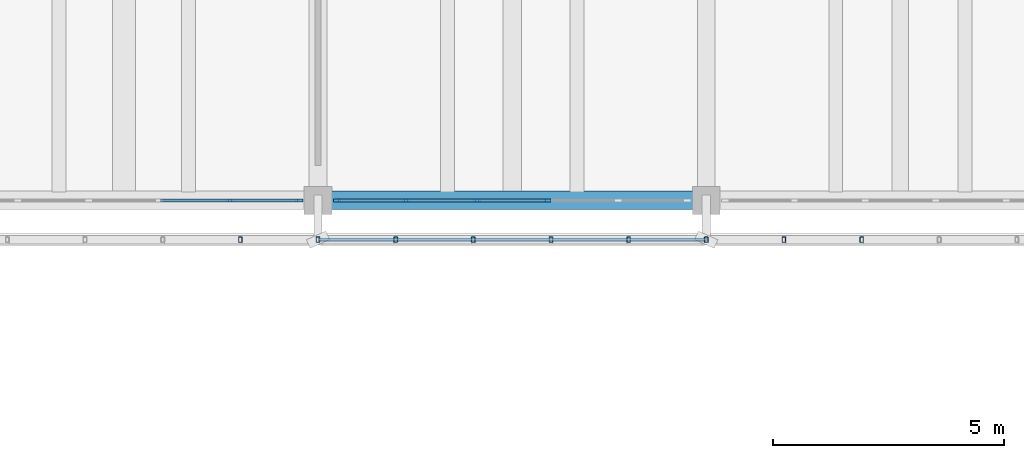
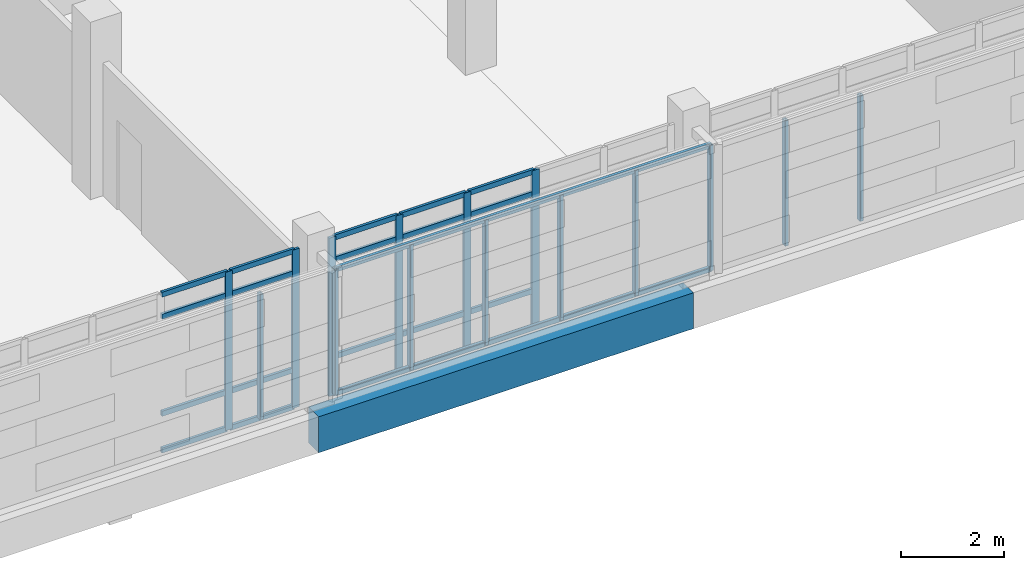
# One storey, part 46 of 137: 37 members, 1 beam, 2 elements without a shape of their own.
"""IFC4 building model written with IfcOpenShell, lengths in metres."""

from ifc_helpers import new_model, si_unit, direction, frame, origin, origin_2d, place, context, subcontext, project, spatial, rectangle, hollow_rectangle, extrude, material, material_profile, profile_set, type_object, element, aggregate, save


model = new_model("IFC4")

# Units and contexts
model_context = context("Model", 3, precision=1e-05, world=origin(), true_north=direction((0.0, 1.0)))
body_context = subcontext(model_context, "Body", "Model", "MODEL_VIEW")
ifc_project = project(units=[si_unit("LENGTHUNIT", "METRE"), si_unit("AREAUNIT", "SQUARE_METRE"), si_unit("VOLUMEUNIT", "CUBIC_METRE"), si_unit("PLANEANGLEUNIT", "RADIAN"), si_unit("MASSUNIT", "GRAM", prefix="KILO")], contexts=[model_context])

# Site, building, storey
site_placement = place(None, origin())
site = spatial("IfcSite", under=ifc_project, at=site_placement, CompositionType="ELEMENT")
building_placement = place(site_placement, origin())
building = spatial("IfcBuilding", under=site, at=building_placement, Name="Cinderway Yard Community Centre", CompositionType="ELEMENT")
storey_placement = place(building_placement, frame((0.0, 0.0, 4.800048828125)))
storey = spatial("IfcBuildingStorey", under=building, at=storey_placement, Name="L01", CompositionType="ELEMENT", Elevation=4.800048828125)

# Curtain wall, members
ifc_material_1 = material(Name="Aluminium 6063-T6", Category="aluminium")
curtain_wall_type = type_object("IfcCurtainWallType", Name="ENV-CW-TYPE-26", PredefinedType="USERDEFINED", material=ifc_material_1)
curtain_wall_1_placement = place(storey_placement, origin())
curtain_wall_1 = element("IfcCurtainWall", 1, at=curtain_wall_1_placement, inside=storey, type_object=curtain_wall_type, Name="V4 Courtyard Curtain Wall ENV-CW-L01-ST-0124", ObjectType="GLAZED CURTAIN WALL", PredefinedType="USERDEFINED")
ifc_material_profile_1 = material_profile(ifc_material_1, rectangle(XDim=0.06005859375, YDim=0.159912109375, at=origin_2d()), Name="Aluminium 6063-T6")
ifc_profile_set_1 = profile_set([ifc_material_profile_1], Name="Aluminium 6063-T6")
member_type_1 = type_object("IfcMemberType", Name="ENV-CW-MULL-150", PredefinedType="MULLION", material=ifc_profile_set_1)
member_1_placement = place(storey_placement, frame((56.491943359375, 90.0, 0.0), z_axis=(0.0, 0.0, 1.0), x_axis=(0.0, 1.0, 0.0)))
member_1 = element("IfcMember", 2, at=member_1_placement, type_object=member_type_1, Name="CW-26 mullion 5", PredefinedType="MULLION", context=body_context, shape_type="SweptSolid", body=[
    extrude(rectangle(XDim=0.06005859375, YDim=0.159912109375, at=origin_2d()), origin(), (0.0, 0.0, 1.0), 3.75),
])
member_2_placement = place(storey_placement, frame((57.989990234375, 90.0, 0.0), z_axis=(0.0, 0.0, 1.0), x_axis=(0.0, 1.0, 0.0)))
member_2 = element("IfcMember", 3, at=member_2_placement, type_object=member_type_1, Name="CW-26 mullion 6", PredefinedType="MULLION", context=body_context, shape_type="SweptSolid", body=[
    extrude(rectangle(XDim=0.06005859375, YDim=0.159912109375, at=origin_2d()), origin(), (0.0, 0.0, 1.0), 3.75),
])

curtain_wall_2_placement = place(storey_placement, origin())
curtain_wall_2 = element("IfcCurtainWall", 4, at=curtain_wall_2_placement, inside=storey, type_object=curtain_wall_type, Name="V4 Courtyard Curtain Wall ENV-CW-L01-ST-0125", ObjectType="GLAZED CURTAIN WALL", PredefinedType="USERDEFINED")
member_3_placement = place(storey_placement, frame((58.81005859375, 90.0, 0.0), z_axis=(0.0, 0.0, 1.0), x_axis=(0.0, 1.0, 0.0)))
member_3 = element("IfcMember", 5, at=member_3_placement, type_object=member_type_1, Name="CW-26 mullion 1", PredefinedType="MULLION", context=body_context, shape_type="SweptSolid", body=[
    extrude(rectangle(XDim=0.06005859375, YDim=0.159912109375, at=origin_2d()), origin(), (0.0, 0.0, 1.0), 3.75),
])
member_4_placement = place(storey_placement, frame((60.30810546875, 90.0, 0.0), z_axis=(0.0, 0.0, 1.0), x_axis=(0.0, 1.0, 0.0)))
member_4 = element("IfcMember", 6, at=member_4_placement, type_object=member_type_1, Name="CW-26 mullion 2", PredefinedType="MULLION", context=body_context, shape_type="SweptSolid", body=[
    extrude(rectangle(XDim=0.06005859375, YDim=0.159912109375, at=origin_2d()), origin(), (0.0, 0.0, 1.0), 3.75),
])
member_5_placement = place(storey_placement, frame((61.8359375, 90.0, 0.0), z_axis=(0.0, 0.0, 1.0), x_axis=(0.0, 1.0, 0.0)))
member_5 = element("IfcMember", 7, at=member_5_placement, type_object=member_type_1, Name="CW-26 mullion 3", PredefinedType="MULLION", context=body_context, shape_type="SweptSolid", body=[
    extrude(rectangle(XDim=0.06005859375, YDim=0.159912109375, at=origin_2d()), origin(), (0.0, 0.0, 1.0), 3.75),
])
member_6_placement = place(storey_placement, frame((63.364013671875, 90.0, 0.0), z_axis=(0.0, 0.0, 1.0), x_axis=(0.0, 1.0, 0.0)))
member_6 = element("IfcMember", 8, at=member_6_placement, type_object=member_type_1, Name="CW-26 mullion 4", PredefinedType="MULLION", context=body_context, shape_type="SweptSolid", body=[
    extrude(rectangle(XDim=0.06005859375, YDim=0.159912109375, at=origin_2d()), origin(), (0.0, 0.0, 1.0), 3.75),
])

# Member
ifc_material_profile_2 = material_profile(ifc_material_1, rectangle(XDim=0.06005859375, YDim=0.1201171875, at=origin_2d()), Name="Aluminium 6063-T6")
ifc_profile_set_2 = profile_set([ifc_material_profile_2], Name="Aluminium 6063-T6")
member_type_2 = type_object("IfcMemberType", Name="ENV-CW-TRAN-110", PredefinedType="USERDEFINED", material=ifc_profile_set_2)
member_7_placement = place(storey_placement, frame((54.993896484375, 90.0, 0.030029296875), z_axis=(1.0, 0.0, 0.0), x_axis=(0.0, 1.0, 0.0)))
member_7 = element("IfcMember", 9, at=member_7_placement, type_object=member_type_2, Name="CW-26 transom 4.1", ObjectType="TRANSOM", PredefinedType="USERDEFINED", context=body_context, shape_type="SweptSolid", body=[
    extrude(rectangle(XDim=0.06005859375, YDim=0.1201171875, at=origin_2d()), origin(), (0.0, 0.0, 1.0), 1.468017578125),
])

member_8_placement = place(storey_placement, frame((54.993896484375, 90.0, 0.89990234375), z_axis=(1.0, 0.0, 0.0), x_axis=(0.0, 1.0, 0.0)))
member_8 = element("IfcMember", 10, at=member_8_placement, type_object=member_type_2, Name="CW-26 transom 4.2", ObjectType="TRANSOM", PredefinedType="USERDEFINED", context=body_context, shape_type="SweptSolid", body=[
    extrude(rectangle(XDim=0.06005859375, YDim=0.1201171875, at=origin_2d()), origin(), (0.0, 0.0, 1.0), 1.468017578125),
])

member_9_placement = place(storey_placement, frame((54.993896484375, 90.0, 3.199951171875), z_axis=(1.0, 0.0, 0.0), x_axis=(0.0, 1.0, 0.0)))
member_9 = element("IfcMember", 11, at=member_9_placement, type_object=member_type_2, Name="CW-26 transom 4.3", ObjectType="TRANSOM", PredefinedType="USERDEFINED", context=body_context, shape_type="SweptSolid", body=[
    extrude(rectangle(XDim=0.06005859375, YDim=0.1201171875, at=origin_2d()), origin(), (0.0, 0.0, 1.0), 1.468017578125),
])

member_10_placement = place(storey_placement, frame((54.993896484375, 90.0, 3.719970703125), z_axis=(1.0, 0.0, 0.0), x_axis=(0.0, 1.0, 0.0)))
member_10 = element("IfcMember", 12, at=member_10_placement, type_object=member_type_2, Name="CW-26 transom 4.4", ObjectType="TRANSOM", PredefinedType="USERDEFINED", context=body_context, shape_type="SweptSolid", body=[
    extrude(rectangle(XDim=0.06005859375, YDim=0.1201171875, at=origin_2d()), origin(), (0.0, 0.0, 1.0), 1.468017578125),
])

member_11_placement = place(storey_placement, frame((56.52197265625, 90.0, 0.030029296875), z_axis=(1.0, 0.0, 0.0), x_axis=(0.0, 1.0, 0.0)))
member_11 = element("IfcMember", 13, at=member_11_placement, type_object=member_type_2, Name="CW-26 transom 5.1", ObjectType="TRANSOM", PredefinedType="USERDEFINED", context=body_context, shape_type="SweptSolid", body=[
    extrude(rectangle(XDim=0.06005859375, YDim=0.1201171875, at=origin_2d()), origin(), (0.0, 0.0, 1.0), 1.43798828125),
])

member_12_placement = place(storey_placement, frame((56.52197265625, 90.0, 0.89990234375), z_axis=(1.0, 0.0, 0.0), x_axis=(0.0, 1.0, 0.0)))
member_12 = element("IfcMember", 14, at=member_12_placement, type_object=member_type_2, Name="CW-26 transom 5.2", ObjectType="TRANSOM", PredefinedType="USERDEFINED", context=body_context, shape_type="SweptSolid", body=[
    extrude(rectangle(XDim=0.06005859375, YDim=0.1201171875, at=origin_2d()), origin(), (0.0, 0.0, 1.0), 1.43798828125),
])

member_13_placement = place(storey_placement, frame((56.52197265625, 90.0, 3.199951171875), z_axis=(1.0, 0.0, 0.0), x_axis=(0.0, 1.0, 0.0)))
member_13 = element("IfcMember", 15, at=member_13_placement, type_object=member_type_2, Name="CW-26 transom 5.3", ObjectType="TRANSOM", PredefinedType="USERDEFINED", context=body_context, shape_type="SweptSolid", body=[
    extrude(rectangle(XDim=0.06005859375, YDim=0.1201171875, at=origin_2d()), origin(), (0.0, 0.0, 1.0), 1.43798828125),
])

member_14_placement = place(storey_placement, frame((56.52197265625, 90.0, 3.719970703125), z_axis=(1.0, 0.0, 0.0), x_axis=(0.0, 1.0, 0.0)))
member_14 = element("IfcMember", 16, at=member_14_placement, type_object=member_type_2, Name="CW-26 transom 5.4", ObjectType="TRANSOM", PredefinedType="USERDEFINED", context=body_context, shape_type="SweptSolid", body=[
    extrude(rectangle(XDim=0.06005859375, YDim=0.1201171875, at=origin_2d()), origin(), (0.0, 0.0, 1.0), 1.43798828125),
])

aggregate(curtain_wall_1, [member_1, member_2, member_7, member_8, member_9, member_10, member_11, member_12, member_13, member_14])

member_15_placement = place(storey_placement, frame((58.840087890625, 90.0, 0.030029296875), z_axis=(1.0, 0.0, 0.0), x_axis=(0.0, 1.0, 0.0)))
member_15 = element("IfcMember", 17, at=member_15_placement, type_object=member_type_2, Name="CW-26 transom 1.1", ObjectType="TRANSOM", PredefinedType="USERDEFINED", context=body_context, shape_type="SweptSolid", body=[
    extrude(rectangle(XDim=0.06005859375, YDim=0.1201171875, at=origin_2d()), origin(), (0.0, 0.0, 1.0), 1.43798828125),
])

member_16_placement = place(storey_placement, frame((58.840087890625, 90.0, 0.89990234375), z_axis=(1.0, 0.0, 0.0), x_axis=(0.0, 1.0, 0.0)))
member_16 = element("IfcMember", 18, at=member_16_placement, type_object=member_type_2, Name="CW-26 transom 1.2", ObjectType="TRANSOM", PredefinedType="USERDEFINED", context=body_context, shape_type="SweptSolid", body=[
    extrude(rectangle(XDim=0.06005859375, YDim=0.1201171875, at=origin_2d()), origin(), (0.0, 0.0, 1.0), 1.43798828125),
])

member_17_placement = place(storey_placement, frame((58.840087890625, 90.0, 3.199951171875), z_axis=(1.0, 0.0, 0.0), x_axis=(0.0, 1.0, 0.0)))
member_17 = element("IfcMember", 19, at=member_17_placement, type_object=member_type_2, Name="CW-26 transom 1.3", ObjectType="TRANSOM", PredefinedType="USERDEFINED", context=body_context, shape_type="SweptSolid", body=[
    extrude(rectangle(XDim=0.06005859375, YDim=0.1201171875, at=origin_2d()), origin(), (0.0, 0.0, 1.0), 1.43798828125),
])

member_18_placement = place(storey_placement, frame((58.840087890625, 90.0, 3.719970703125), z_axis=(1.0, 0.0, 0.0), x_axis=(0.0, 1.0, 0.0)))
member_18 = element("IfcMember", 20, at=member_18_placement, type_object=member_type_2, Name="CW-26 transom 1.4", ObjectType="TRANSOM", PredefinedType="USERDEFINED", context=body_context, shape_type="SweptSolid", body=[
    extrude(rectangle(XDim=0.06005859375, YDim=0.1201171875, at=origin_2d()), origin(), (0.0, 0.0, 1.0), 1.43798828125),
])

member_19_placement = place(storey_placement, frame((60.337890625, 90.0, 0.030029296875), z_axis=(1.0, 0.0, 0.0), x_axis=(0.0, 1.0, 0.0)))
member_19 = element("IfcMember", 21, at=member_19_placement, type_object=member_type_2, Name="CW-26 transom 2.1", ObjectType="TRANSOM", PredefinedType="USERDEFINED", context=body_context, shape_type="SweptSolid", body=[
    extrude(rectangle(XDim=0.06005859375, YDim=0.1201171875, at=origin_2d()), origin(), (0.0, 0.0, 1.0), 1.468017578125),
])

member_20_placement = place(storey_placement, frame((60.337890625, 90.0, 0.89990234375), z_axis=(1.0, 0.0, 0.0), x_axis=(0.0, 1.0, 0.0)))
member_20 = element("IfcMember", 22, at=member_20_placement, type_object=member_type_2, Name="CW-26 transom 2.2", ObjectType="TRANSOM", PredefinedType="USERDEFINED", context=body_context, shape_type="SweptSolid", body=[
    extrude(rectangle(XDim=0.06005859375, YDim=0.1201171875, at=origin_2d()), origin(), (0.0, 0.0, 1.0), 1.468017578125),
])

member_21_placement = place(storey_placement, frame((60.337890625, 90.0, 3.199951171875), z_axis=(1.0, 0.0, 0.0), x_axis=(0.0, 1.0, 0.0)))
member_21 = element("IfcMember", 23, at=member_21_placement, type_object=member_type_2, Name="CW-26 transom 2.3", ObjectType="TRANSOM", PredefinedType="USERDEFINED", context=body_context, shape_type="SweptSolid", body=[
    extrude(rectangle(XDim=0.06005859375, YDim=0.1201171875, at=origin_2d()), origin(), (0.0, 0.0, 1.0), 1.468017578125),
])

member_22_placement = place(storey_placement, frame((60.337890625, 90.0, 3.719970703125), z_axis=(1.0, 0.0, 0.0), x_axis=(0.0, 1.0, 0.0)))
member_22 = element("IfcMember", 24, at=member_22_placement, type_object=member_type_2, Name="CW-26 transom 2.4", ObjectType="TRANSOM", PredefinedType="USERDEFINED", context=body_context, shape_type="SweptSolid", body=[
    extrude(rectangle(XDim=0.06005859375, YDim=0.1201171875, at=origin_2d()), origin(), (0.0, 0.0, 1.0), 1.468017578125),
])

member_23_placement = place(storey_placement, frame((61.865966796875, 90.0, 0.030029296875), z_axis=(1.0, 0.0, 0.0), x_axis=(0.0, 1.0, 0.0)))
member_23 = element("IfcMember", 25, at=member_23_placement, type_object=member_type_2, Name="CW-26 transom 3.1", ObjectType="TRANSOM", PredefinedType="USERDEFINED", context=body_context, shape_type="SweptSolid", body=[
    extrude(rectangle(XDim=0.06005859375, YDim=0.1201171875, at=origin_2d()), origin(), (0.0, 0.0, 1.0), 1.468017578125),
])

member_24_placement = place(storey_placement, frame((61.865966796875, 90.0, 0.89990234375), z_axis=(1.0, 0.0, 0.0), x_axis=(0.0, 1.0, 0.0)))
member_24 = element("IfcMember", 26, at=member_24_placement, type_object=member_type_2, Name="CW-26 transom 3.2", ObjectType="TRANSOM", PredefinedType="USERDEFINED", context=body_context, shape_type="SweptSolid", body=[
    extrude(rectangle(XDim=0.06005859375, YDim=0.1201171875, at=origin_2d()), origin(), (0.0, 0.0, 1.0), 1.468017578125),
])

member_25_placement = place(storey_placement, frame((61.865966796875, 90.0, 3.199951171875), z_axis=(1.0, 0.0, 0.0), x_axis=(0.0, 1.0, 0.0)))
member_25 = element("IfcMember", 27, at=member_25_placement, type_object=member_type_2, Name="CW-26 transom 3.3", ObjectType="TRANSOM", PredefinedType="USERDEFINED", context=body_context, shape_type="SweptSolid", body=[
    extrude(rectangle(XDim=0.06005859375, YDim=0.1201171875, at=origin_2d()), origin(), (0.0, 0.0, 1.0), 1.468017578125),
])

member_26_placement = place(storey_placement, frame((61.865966796875, 90.0, 3.719970703125), z_axis=(1.0, 0.0, 0.0), x_axis=(0.0, 1.0, 0.0)))
member_26 = element("IfcMember", 28, at=member_26_placement, type_object=member_type_2, Name="CW-26 transom 3.4", ObjectType="TRANSOM", PredefinedType="USERDEFINED", context=body_context, shape_type="SweptSolid", body=[
    extrude(rectangle(XDim=0.06005859375, YDim=0.1201171875, at=origin_2d()), origin(), (0.0, 0.0, 1.0), 1.468017578125),
])

aggregate(curtain_wall_2, [member_3, member_4, member_5, member_6, member_15, member_16, member_17, member_18, member_19, member_20, member_21, member_22, member_23, member_24, member_25, member_26])

# Members
ifc_material_2 = material(Name="Steel S355", Category="steel")
ifc_material_profile_3 = material_profile(ifc_material_2, hollow_rectangle(XDim=0.080078125, YDim=0.1201171875, WallThickness=0.00634765625, InnerFilletRadius=0.00634765625, OuterFilletRadius=0.0126953125, at=origin_2d()), Name="Steel S355")
ifc_profile_set_3 = profile_set([ifc_material_profile_3], Name="Steel S355")
member_type_3 = type_object("IfcMemberType", Name="ENV-MEM-SCREEN-RAIL-120", PredefinedType="STRINGER", material=ifc_profile_set_3)
for number, where, z_axis, x_axis, name in (
    (29, (56.719970703125, 89.14990234375, 0.68994140625), (0.0, 0.0, 1.0), (1.0, 0.0, 0.0), "Screen vertical mullion 0331"),
    (30, (58.39990234375, 89.14990234375, 0.68994140625), (0.0, 0.0, 1.0), (1.0, 0.0, 0.0), "Screen vertical mullion 0332"),
):
    element("IfcMember", number, at=place(storey_placement, frame(where, z_axis=z_axis, x_axis=x_axis)), inside=storey, type_object=member_type_3, Name=name, PredefinedType="STRINGER", context=body_context, shape_type="SweptSolid", body=[
        extrude(hollow_rectangle(XDim=0.080078125, YDim=0.1201171875, WallThickness=0.00634765625, InnerFilletRadius=0.00634765625, OuterFilletRadius=0.0126953125, at=origin_2d()), origin(), (0.0, 0.0, 1.0), 2.969970703125),
    ])
for number, where, z_axis, x_axis, name in (
    (31, (58.39990234375, 89.14990234375, 0.7099609375), (1.0, 0.0, 0.0), (0.0, 1.0, 0.0), "Screen support rail 0334-BOT"),
    (32, (58.39990234375, 89.14990234375, 3.639892578125), (1.0, 0.0, 0.0), (0.0, 1.0, 0.0), "Screen support rail 0335-TOP"),
):
    element("IfcMember", number, at=place(storey_placement, frame(where, z_axis=z_axis, x_axis=x_axis)), inside=storey, type_object=member_type_3, Name=name, PredefinedType="STRINGER", context=body_context, shape_type="SweptSolid", body=[
        extrude(hollow_rectangle(XDim=0.080078125, YDim=0.1201171875, WallThickness=0.00634765625, InnerFilletRadius=0.00634765625, OuterFilletRadius=0.0126953125, at=origin_2d()), origin(), (0.0, 0.0, 1.0), 8.400146484375),
    ])
for number, where, z_axis, x_axis, name in (
    (33, (60.080078125, 89.14990234375, 0.68994140625), (0.0, 0.0, 1.0), (1.0, 0.0, 0.0), "Screen vertical mullion 0336"),
    (34, (61.760009765625, 89.14990234375, 0.68994140625), (0.0, 0.0, 1.0), (1.0, 0.0, 0.0), "Screen vertical mullion 0337"),
    (35, (63.43994140625, 89.14990234375, 0.68994140625), (0.0, 0.0, 1.0), (1.0, 0.0, 0.0), "Screen vertical mullion 0338"),
    (36, (65.1201171875, 89.14990234375, 0.68994140625), (0.0, 0.0, 1.0), (1.0, 0.0, 0.0), "Screen vertical mullion 0339"),
    (37, (66.800048828125, 89.14990234375, 0.68994140625), (0.0, 0.0, 1.0), (1.0, 0.0, 0.0), "Screen vertical mullion 0340"),
    (38, (68.47998046875, 89.14990234375, 0.68994140625), (0.0, 0.0, 1.0), (1.0, 0.0, 0.0), "Screen vertical mullion 0344"),
    (39, (70.159912109375, 89.14990234375, 0.68994140625), (0.0, 0.0, 1.0), (1.0, 0.0, 0.0), "Screen vertical mullion 0345"),
):
    element("IfcMember", number, at=place(storey_placement, frame(where, z_axis=z_axis, x_axis=x_axis)), inside=storey, type_object=member_type_3, Name=name, PredefinedType="STRINGER", context=body_context, shape_type="SweptSolid", body=[
        extrude(hollow_rectangle(XDim=0.080078125, YDim=0.1201171875, WallThickness=0.00634765625, InnerFilletRadius=0.00634765625, OuterFilletRadius=0.0126953125, at=origin_2d()), origin(), (0.0, 0.0, 1.0), 2.969970703125),
    ])

# Beam
ifc_material_3 = material(Name="Concrete C40/50", Category="concrete")
ifc_material_profile_4 = material_profile(ifc_material_3, rectangle(XDim=0.39990234375, YDim=0.85009765625, at=origin_2d()), Name="Concrete C40/50")
ifc_profile_set_4 = profile_set([ifc_material_profile_4], Name="Concrete C40/50")
beam_type = type_object("IfcBeamType", Name="STR-BM-RC400X850", PredefinedType="BEAM", material=ifc_profile_set_4)
beam_placement = place(storey_placement, frame((58.39990234375, 90.0, -0.68505859375), z_axis=(1.0, 0.0, 0.0), x_axis=(0.0, 1.0, 0.0)))
element("IfcBeam", 40, at=beam_placement, inside=storey, type_object=beam_type, Name="Primary girder STR-BM-L01-BG04-0174", PredefinedType="BEAM", context=body_context, shape_type="SweptSolid", body=[
    extrude(rectangle(XDim=0.39990234375, YDim=0.85009765625, at=origin_2d()), origin(), (0.0, 0.0, 1.0), 8.400146484375),
])

save(model, "model.ifc")
